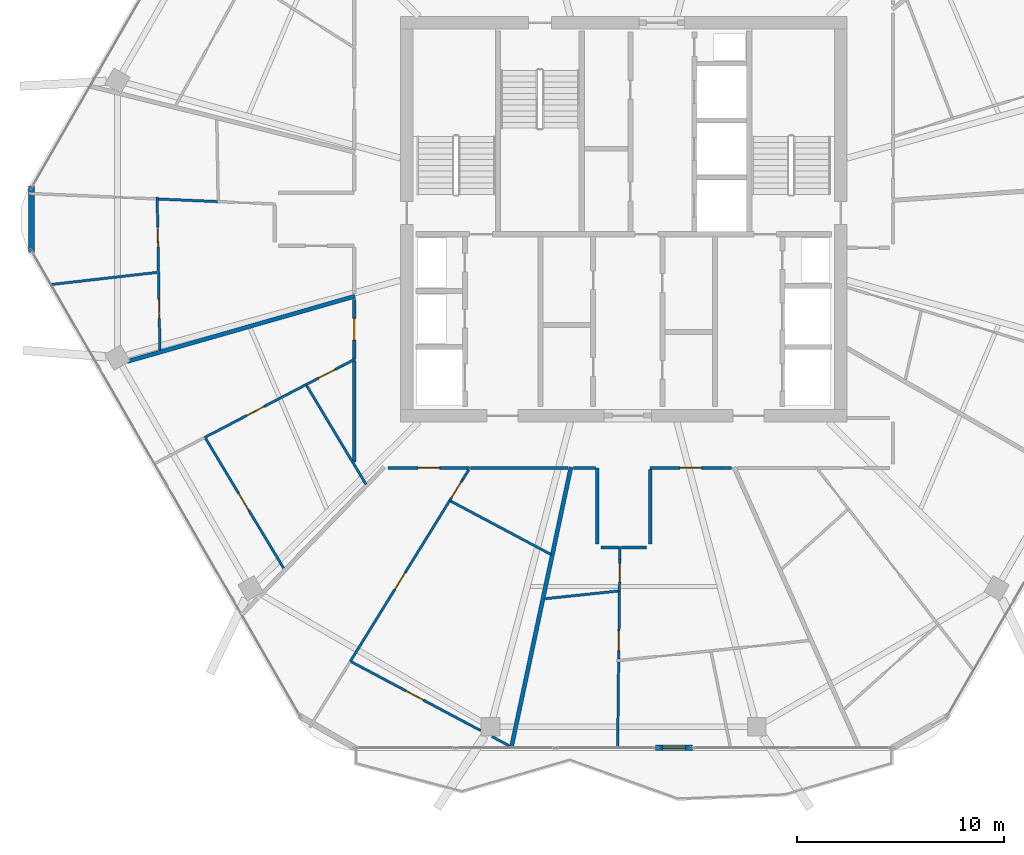
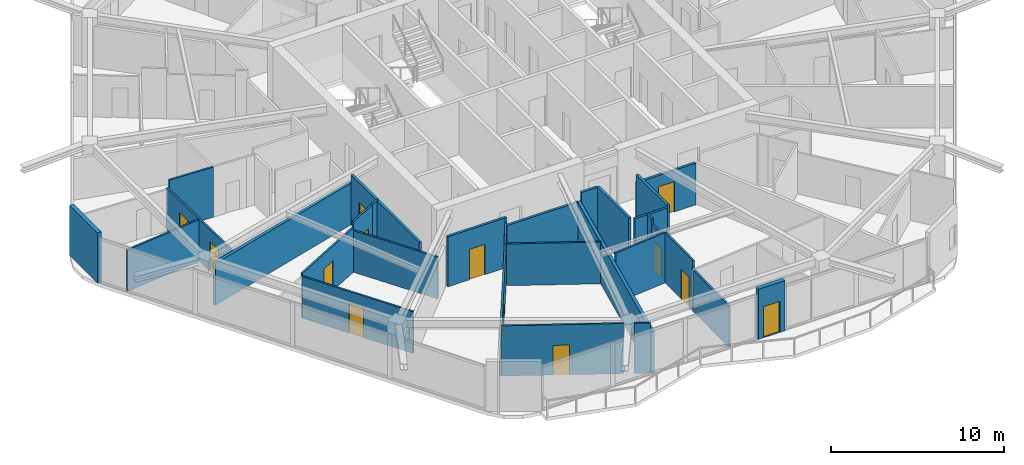
# One storey, part 19 of 26: 33 walls, 14 doors, 14 openings.
"""IFC4 building model written with IfcOpenShell, lengths in metres."""

from ifc_helpers import new_model, si_unit, direction, frame, frame_2d, origin, place, context, subcontext, project, spatial, rectangle, extrude, material, layer, layer_set, type_object, element, fill, save


model = new_model("IFC4")

# Units and contexts
model_context = context("Model", 3, precision=1e-05, world=origin(), true_north=direction((0.0, 1.0)))
body_context = subcontext(model_context, "Body", "Model", "MODEL_VIEW")
ifc_project = project(units=[si_unit("LENGTHUNIT", "METRE"), si_unit("AREAUNIT", "SQUARE_METRE"), si_unit("VOLUMEUNIT", "CUBIC_METRE"), si_unit("PLANEANGLEUNIT", "RADIAN"), si_unit("MASSUNIT", "GRAM", prefix="KILO")], contexts=[model_context])

# Site, building, storey
site_placement = place(None, origin())
site = spatial("IfcSite", under=ifc_project, at=site_placement, CompositionType="ELEMENT")
building_placement = place(site_placement, origin())
building = spatial("IfcBuilding", under=site, at=building_placement, Name="Zuhravey Tower", CompositionType="ELEMENT")
storey_placement = place(building_placement, frame((0.0, 0.0, 242.60009765625)))
storey = spatial("IfcBuildingStorey", under=building, at=storey_placement, Name="L61", CompositionType="ELEMENT", Elevation=242.60009765625)

# Wall, opening, door
ifc_material_1 = material(Name="Gypsum fire-rated stud partition")
ifc_layer_1 = layer(ifc_material_1, 0.159912109375)
ifc_layer_set_1 = layer_set([ifc_layer_1], Name="Gypsum fire-rated stud partition")
wall_type_1 = type_object("IfcWallType", Name="Corridor Fire Partition 160", PredefinedType="PARTITIONING", material=ifc_layer_set_1)
wall_1_placement = place(storey_placement, frame((22.969970703125, 28.119384765625, 0.0), z_axis=(0.0, 0.0, 1.0), x_axis=(0.0, -1.0, 0.0)))
wall_1 = element("IfcWall", 1, at=wall_1_placement, inside=storey, type_object=wall_type_1, Name="L61 IW16 Partition 038", PredefinedType="PARTITIONING", context=body_context, shape_type="SweptSolid", body=[
    extrude(rectangle(XDim=2.885498046875, YDim=0.159912109375, at=frame_2d((1.44287109375, 0.0))), origin(), (0.0, 0.0, 1.0), 3.5498046875),
])
opening_1_placement = place(wall_1_placement, frame((0.917724609375, 0.0, 0.0)))
opening_1 = element("IfcOpeningElement", 2, at=opening_1_placement, cuts=wall_1, Name="Opening APD1", PredefinedType="OPENING", context=body_context, shape_type="SweptSolid", body=[
    extrude(rectangle(XDim=1.050048828125, YDim=2.14990234375, at=frame_2d((0.52490234375, 1.074951171875))), frame((0.0, 0.092041015625, 0.0), z_axis=(0.0, -1.0, 0.0), x_axis=(1.0, 0.0, 0.0)), (0.0, 0.0, 1.0), 0.183837890625),
])
ifc_material_2 = material(Name="Solid-core oak fire-rated leaf")
door_type_1 = type_object("IfcDoorType", Name="Apartment Entrance Fire Door 1050x2150", OperationType="NOTDEFINED", PredefinedType="DOOR", material=ifc_material_2)
door_1_placement = place(opening_1_placement, frame((1.050048828125, 0.0, 0.0), z_axis=(0.0, 0.0, 1.0), x_axis=(-1.0, 0.0, 0.0)))
door_1 = element("IfcDoor", 3, at=door_1_placement, inside=storey, type_object=door_type_1, Name="L61 Door 038.1", OperationType="SINGLE_SWING_RIGHT", OverallHeight=2.14990234375, OverallWidth=1.050048828125, PredefinedType="DOOR", context=body_context, shape_type="SweptSolid", body=[
    extrude(rectangle(XDim=1.050048828125, YDim=2.14990234375, at=frame_2d((0.52490234375, 1.074951171875))), frame((0.0, 0.02490234375, 0.0), z_axis=(0.0, -1.0, 0.0), x_axis=(1.0, 0.0, 0.0)), (0.0, 0.0, 1.0), 0.050048828125),
])
fill(opening_1, door_1)

wall_2_placement = place(storey_placement, frame((24.611572265625, 19.969970703125, 0.0), z_axis=(0.0, 0.0, 1.0), x_axis=(1.0, 0.0, 0.0)))
wall_2 = element("IfcWall", 4, at=wall_2_placement, inside=storey, type_object=wall_type_1, Name="L61 IW16 Partition 042", PredefinedType="PARTITIONING", context=body_context, shape_type="SweptSolid", body=[
    extrude(rectangle(XDim=3.92919921875, YDim=0.159912109375, at=frame_2d((1.964599609375, 0.0))), origin(), (0.0, 0.0, 1.0), 3.5498046875),
])
opening_2_placement = place(wall_2_placement, frame((1.439697265625, 0.0, 0.0)))
opening_2 = element("IfcOpeningElement", 5, at=opening_2_placement, cuts=wall_2, Name="Opening APD1", PredefinedType="OPENING", context=body_context, shape_type="SweptSolid", body=[
    extrude(rectangle(XDim=1.050048828125, YDim=2.14990234375, at=frame_2d((0.52490234375, 1.074951171875))), frame((0.0, 0.092041015625, 0.0), z_axis=(0.0, -1.0, 0.0), x_axis=(1.0, 0.0, 0.0)), (0.0, 0.0, 1.0), 0.183837890625),
])
door_2_placement = place(opening_2_placement, frame((1.050048828125, 0.0, 0.0), z_axis=(0.0, 0.0, 1.0), x_axis=(-1.0, 0.0, 0.0)))
door_2 = element("IfcDoor", 6, at=door_2_placement, inside=storey, type_object=door_type_1, Name="L61 Door 042.1", OperationType="SINGLE_SWING_RIGHT", OverallHeight=2.14990234375, OverallWidth=1.050048828125, PredefinedType="DOOR", context=body_context, shape_type="SweptSolid", body=[
    extrude(rectangle(XDim=1.050048828125, YDim=2.14990234375, at=frame_2d((0.52490234375, 1.074951171875))), frame((0.0, 0.02490234375, 0.0), z_axis=(0.0, -1.0, 0.0), x_axis=(1.0, 0.0, 0.0)), (0.0, 0.0, 1.0), 0.050048828125),
])
fill(opening_2, door_2)

wall_3_placement = place(storey_placement, frame((37.280029296875, 19.969970703125, 0.0), z_axis=(0.0, 0.0, 1.0), x_axis=(1.0, 0.0, 0.0)))
wall_3 = element("IfcWall", 7, at=wall_3_placement, inside=storey, type_object=wall_type_1, Name="L61 IW16 Partition 047", PredefinedType="PARTITIONING", context=body_context, shape_type="SweptSolid", body=[
    extrude(rectangle(XDim=3.928955078125, YDim=0.159912109375, at=frame_2d((1.96435546875, 0.0))), origin(), (0.0, 0.0, 1.0), 2.949951171875),
])
opening_3_placement = place(wall_3_placement, frame((1.439453125, 0.0, 0.0)))
opening_3 = element("IfcOpeningElement", 8, at=opening_3_placement, cuts=wall_3, Name="Opening APD1", PredefinedType="OPENING", context=body_context, shape_type="SweptSolid", body=[
    extrude(rectangle(XDim=1.050048828125, YDim=2.14990234375, at=frame_2d((0.52490234375, 1.074951171875))), frame((0.0, 0.092041015625, 0.0), z_axis=(0.0, -1.0, 0.0), x_axis=(1.0, 0.0, 0.0)), (0.0, 0.0, 1.0), 0.183837890625),
])
door_3_placement = place(opening_3_placement, frame((1.050048828125, 0.0, 0.0), z_axis=(0.0, 0.0, 1.0), x_axis=(-1.0, 0.0, 0.0)))
door_3 = element("IfcDoor", 9, at=door_3_placement, inside=storey, type_object=door_type_1, Name="L61 Door 047.1", OperationType="SINGLE_SWING_LEFT", OverallHeight=2.14990234375, OverallWidth=1.050048828125, PredefinedType="DOOR", context=body_context, shape_type="SweptSolid", body=[
    extrude(rectangle(XDim=1.050048828125, YDim=2.14990234375, at=frame_2d((0.52490234375, 1.074951171875))), frame((0.0, 0.02490234375, 0.0), z_axis=(0.0, -1.0, 0.0), x_axis=(1.0, 0.0, 0.0)), (0.0, 0.0, 1.0), 0.050048828125),
])
fill(opening_3, door_3)

# Walls
wall_4_placement = place(storey_placement, frame((22.969970703125, 25.134521484375, 0.0), z_axis=(0.0, 0.0, 1.0), x_axis=(0.0, -1.0, 0.0)))
element("IfcWall", 10, at=wall_4_placement, inside=storey, type_object=wall_type_1, Name="L61 IW16 Partition 128", PredefinedType="PARTITIONING", context=body_context, shape_type="SweptSolid", body=[
    extrude(rectangle(XDim=4.8828125, YDim=0.159912109375, at=frame_2d((2.44140625, 0.0))), origin(), (0.0, 0.0, 1.0), 3.5498046875),
])
wall_5_placement = place(storey_placement, frame((28.587890625, 19.969970703125, 0.0), z_axis=(0.0, 0.0, 1.0), x_axis=(1.0, 0.0, 0.0)))
element("IfcWall", 11, at=wall_5_placement, inside=storey, type_object=wall_type_1, Name="L61 IW16 Partition 129", PredefinedType="PARTITIONING", context=body_context, shape_type="SweptSolid", body=[
    extrude(rectangle(XDim=4.724609375, YDim=0.159912109375, at=frame_2d((2.3623046875, 0.0))), origin(), (0.0, 0.0, 1.0), 2.949951171875),
])
wall_6_placement = place(storey_placement, frame((37.280029296875, 16.300048828125, 0.0), z_axis=(0.0, 0.0, 1.0), x_axis=(0.0, 1.0, 0.0)))
element("IfcWall", 12, at=wall_6_placement, inside=storey, type_object=wall_type_1, Name="L61 IW16 Partition 130", PredefinedType="PARTITIONING", context=body_context, shape_type="SweptSolid", body=[
    extrude(rectangle(XDim=3.58203125, YDim=0.159912109375, at=frame_2d((1.791015625, 0.0))), origin(), (0.0, 0.0, 1.0), 3.5498046875),
])
wall_7_placement = place(storey_placement, frame((35.8876953125, 16.1201171875, 0.0), z_axis=(0.0, 0.0, 1.0), x_axis=(1.0, 0.0, 0.0)))
element("IfcWall", 13, at=wall_7_placement, inside=storey, type_object=wall_type_1, Name="L61 IW16 Partition 131", PredefinedType="PARTITIONING", context=body_context, shape_type="SweptSolid", body=[
    extrude(rectangle(XDim=1.21240234375, YDim=0.159912109375, at=frame_2d((0.606201171875, 0.0))), origin(), (0.0, 0.0, 1.0), 3.5498046875),
])
wall_8_placement = place(storey_placement, frame((34.719970703125, 19.969970703125, 0.0), z_axis=(0.0, 0.0, 1.0), x_axis=(0.0, -1.0, 0.0)))
element("IfcWall", 14, at=wall_8_placement, inside=storey, type_object=wall_type_1, Name="L61 IW16 Partition 132", PredefinedType="PARTITIONING", context=body_context, shape_type="SweptSolid", body=[
    extrude(rectangle(XDim=3.669921875, YDim=0.159912109375, at=frame_2d((1.8349609375, 0.0))), origin(), (0.0, 0.0, 1.0), 3.5498046875),
])
wall_9_placement = place(storey_placement, frame((33.572998046875, 19.969970703125, 0.0), z_axis=(0.0, 0.0, 1.0), x_axis=(1.0, 0.0, 0.0)))
element("IfcWall", 15, at=wall_9_placement, inside=storey, type_object=wall_type_1, Name="L61 IW16 Partition 133", PredefinedType="PARTITIONING", context=body_context, shape_type="SweptSolid", body=[
    extrude(rectangle(XDim=1.05908203125, YDim=0.159912109375, at=frame_2d((0.529541015625, 0.0))), origin(), (0.0, 0.0, 1.0), 3.5498046875),
])
wall_10_placement = place(storey_placement, frame((34.89990234375, 16.1201171875, 0.0), z_axis=(0.0, 0.0, 1.0), x_axis=(1.0, 0.0, 0.0)))
element("IfcWall", 16, at=wall_10_placement, inside=storey, type_object=wall_type_1, Name="L61 IW16 Partition 134", PredefinedType="PARTITIONING", context=body_context, shape_type="SweptSolid", body=[
    extrude(rectangle(XDim=0.851806640625, YDim=0.159912109375, at=frame_2d((0.42578125, 0.0))), origin(), (0.0, 0.0, 1.0), 3.5498046875),
])

# Wall, opening, door
ifc_material_3 = material(Name="Precast concrete C40/50", Category="concrete")
ifc_layer_2 = layer(ifc_material_3, 0.280029296875)
ifc_layer_set_2 = layer_set([ifc_layer_2], Name="Precast concrete C40/50")
wall_type_2 = type_object("IfcWallType", Name="Crown Architectural Wall 280", PredefinedType="SOLIDWALL", material=ifc_layer_set_2)
wall_11_placement = place(storey_placement, frame((39.330810546875, 6.436279296875, 0.0), z_axis=(0.0, 0.0, 1.0), x_axis=(-1.0, 0.0, 0.0)))
wall_11 = element("IfcWall", 17, at=wall_11_placement, inside=storey, type_object=wall_type_2, Name="L61 Face 5 Facade Pier EW28-1", PredefinedType="SOLIDWALL", context=body_context, shape_type="SweptSolid", body=[
    extrude(rectangle(XDim=1.7900390625, YDim=0.280029296875, at=frame_2d((0.89501953125, 0.0))), origin(), (0.0, 0.0, 1.0), 3.5498046875),
])
opening_4_placement = place(wall_11_placement, frame((0.344970703125, 0.0, 0.0)))
opening_4 = element("IfcOpeningElement", 18, at=opening_4_placement, cuts=wall_11, Name="Opening BLD1", PredefinedType="OPENING", context=body_context, shape_type="SweptSolid", body=[
    extrude(rectangle(XDim=1.10009765625, YDim=2.199951171875, at=frame_2d((0.550048828125, 1.10009765625))), frame((0.0, 0.152099609375, 0.0), z_axis=(0.0, -1.0, 0.0), x_axis=(1.0, 0.0, 0.0)), (0.0, 0.0, 1.0), 0.303955078125),
])
ifc_material_4 = material(Name="Thermally broken aluminium and low-E glass", Category="aluminium")
door_type_2 = type_object("IfcDoorType", Name="Balcony & Sky-Tray Glazed Door 1100x2200", OperationType="NOTDEFINED", PredefinedType="DOOR", material=ifc_material_4)
door_4_placement = place(opening_4_placement, frame((1.10009765625, 0.0, 0.0), z_axis=(0.0, 0.0, 1.0), x_axis=(-1.0, 0.0, 0.0)))
door_4 = element("IfcDoor", 19, at=door_4_placement, inside=storey, type_object=door_type_2, Name="L61 Face 5 Wave Balcony Door", OperationType="SINGLE_SWING_LEFT", OverallHeight=2.199951171875, OverallWidth=1.10009765625, PredefinedType="DOOR", context=body_context, shape_type="SweptSolid", body=[
    extrude(rectangle(XDim=1.10009765625, YDim=2.199951171875, at=frame_2d((0.550048828125, 1.10009765625))), frame((0.0, 0.02490234375, 0.0), z_axis=(0.0, -1.0, 0.0), x_axis=(1.0, 0.0, 0.0)), (0.0, 0.0, 1.0), 0.050048828125),
])
fill(opening_4, door_4)

# Walls
wall_12_placement = place(storey_placement, frame((7.35498046875, 30.392578125, 0.0), z_axis=(0.0, 0.0, 1.0), x_axis=(0.0, 1.0, 0.0)))
element("IfcWall", 20, at=wall_12_placement, inside=storey, type_object=wall_type_2, Name="L61 Rounded Corner Closure Wall EW28-06", PredefinedType="SOLIDWALL", context=body_context, shape_type="SweptSolid", body=[
    extrude(rectangle(XDim=3.21484375, YDim=0.280029296875, at=frame_2d((1.607421875, 0.0))), origin(), (0.0, 0.0, 1.0), 3.5498046875),
])
ifc_material_5 = material(Name="Gypsum double-stud party assembly")
ifc_layer_3 = layer(ifc_material_5, 0.199951171875)
ifc_layer_set_3 = layer_set([ifc_layer_3], Name="Gypsum double-stud party assembly")
wall_type_3 = type_object("IfcWallType", Name="Inter-Tenancy Party Wall 200", PredefinedType="PARTITIONING", material=ifc_layer_set_3)
wall_13_placement = place(storey_placement, frame((23.010009765625, 28.275146484375, 0.0), z_axis=(0.0, 0.0, 1.0), x_axis=(-0.961263244987, -0.275631953585, 0.0)))
element("IfcWall", 21, at=wall_13_placement, inside=storey, type_object=wall_type_3, Name="L61 IW20 Partition 086", PredefinedType="PARTITIONING", context=body_context, shape_type="SweptSolid", body=[
    extrude(rectangle(XDim=11.46875, YDim=0.199951171875, at=frame_2d((5.734375, 0.0))), origin(), (0.0, 0.0, 1.0), 2.949951171875),
])
wall_14_placement = place(storey_placement, frame((33.451416015625, 20.010009765625, 0.0), z_axis=(0.0, 0.0, 1.0), x_axis=(-0.207899576005, -0.978150175738, 0.0)))
element("IfcWall", 22, at=wall_14_placement, inside=storey, type_object=wall_type_3, Name="L61 IW20 Partition 096", PredefinedType="PARTITIONING", context=body_context, shape_type="SweptSolid", body=[
    extrude(rectangle(XDim=13.876953125, YDim=0.199951171875, at=frame_2d((6.9384765625, 0.0))), origin(), (0.0, 0.0, 1.0), 2.929931640625),
])

# Wall, openings, doors
ifc_material_6 = material(Name="Gypsum metal-stud partition")
ifc_layer_4 = layer(ifc_material_6, 0.1201171875)
ifc_layer_set_4 = layer_set([ifc_layer_4], Name="Gypsum metal-stud partition")
wall_type_4 = type_object("IfcWallType", Name="Unit Internal Partition 120", PredefinedType="PARTITIONING", material=ifc_layer_set_4)
wall_15_placement = place(storey_placement, frame((13.440185546875, 33.0771484375, 0.0), z_axis=(0.0, 0.0, 1.0), x_axis=(0.01747984643, -0.999847215813, 0.0)))
wall_15 = element("IfcWall", 23, at=wall_15_placement, inside=storey, type_object=wall_type_4, Name="L61 IW12 Partition 030", PredefinedType="PARTITIONING", context=body_context, shape_type="SweptSolid", body=[
    extrude(rectangle(XDim=7.402587890625, YDim=0.1201171875, at=frame_2d((3.701171875, 0.0))), origin(), (0.0, 0.0, 1.0), 2.949951171875),
])
opening_5_placement = place(wall_15_placement, frame((1.468017578125, 0.0, 0.0)))
opening_5 = element("IfcOpeningElement", 24, at=opening_5_placement, cuts=wall_15, Name="Opening IND1", PredefinedType="OPENING", context=body_context, shape_type="SweptSolid", body=[
    extrude(rectangle(XDim=0.949951171875, YDim=2.10009765625, at=frame_2d((0.47509765625, 1.050048828125))), frame((0.0, 0.072021484375, 0.0), z_axis=(0.0, -1.0, 0.0), x_axis=(1.0, 0.0, 0.0)), (0.0, 0.0, 1.0), 0.14404296875),
])
opening_6_placement = place(wall_15_placement, frame((4.9287109375, 0.0, 0.0)))
opening_6 = element("IfcOpeningElement", 25, at=opening_6_placement, cuts=wall_15, Name="Opening IND1", PredefinedType="OPENING", context=body_context, shape_type="SweptSolid", body=[
    extrude(rectangle(XDim=0.949951171875, YDim=2.10009765625, at=frame_2d((0.47509765625, 1.050048828125))), frame((0.0, 0.072021484375, 0.0), z_axis=(0.0, -1.0, 0.0), x_axis=(1.0, 0.0, 0.0)), (0.0, 0.0, 1.0), 0.14404296875),
])
ifc_material_7 = material(Name="Painted engineered timber leaf", Category="wood")
door_type_3 = type_object("IfcDoorType", Name="Internal Room & Bedroom Door 950x2100", OperationType="NOTDEFINED", PredefinedType="DOOR", material=ifc_material_7)
door_5_placement = place(opening_5_placement, frame((0.949951171875, 0.0, 0.0), z_axis=(0.0, 0.0, 1.0), x_axis=(-1.0, 0.0, 0.0)))
door_5 = element("IfcDoor", 26, at=door_5_placement, inside=storey, type_object=door_type_3, Name="Apartment L61-03 Family Study Door", OperationType="SINGLE_SWING_RIGHT", OverallHeight=2.10009765625, OverallWidth=0.949951171875, PredefinedType="DOOR", context=body_context, shape_type="SweptSolid", body=[
    extrude(rectangle(XDim=0.949951171875, YDim=2.10009765625, at=frame_2d((0.47509765625, 1.050048828125))), frame((0.0, 0.02490234375, 0.0), z_axis=(0.0, -1.0, 0.0), x_axis=(1.0, 0.0, 0.0)), (0.0, 0.0, 1.0), 0.050048828125),
])
fill(opening_5, door_5)
door_6_placement = place(opening_6_placement, frame((0.949951171875, 0.0, 0.0), z_axis=(0.0, 0.0, 1.0), x_axis=(-1.0, 0.0, 0.0)))
door_6 = element("IfcDoor", 27, at=door_6_placement, inside=storey, type_object=door_type_3, Name="Apartment L61-03 Dining Room Door", OperationType="SINGLE_SWING_LEFT", OverallHeight=2.10009765625, OverallWidth=0.949951171875, PredefinedType="DOOR", context=body_context, shape_type="SweptSolid", body=[
    extrude(rectangle(XDim=0.949951171875, YDim=2.10009765625, at=frame_2d((0.47509765625, 1.050048828125))), frame((0.0, 0.02490234375, 0.0), z_axis=(0.0, -1.0, 0.0), x_axis=(1.0, 0.0, 0.0)), (0.0, 0.0, 1.0), 0.050048828125),
])
fill(opening_6, door_6)

# Wall
wall_16_placement = place(storey_placement, frame((16.36572265625, 32.850341796875, 0.0), z_axis=(0.0, 0.0, 1.0), x_axis=(-0.999061951001, 0.043303788079, 0.0)))
element("IfcWall", 28, at=wall_16_placement, inside=storey, type_object=wall_type_4, Name="L61 IW12 Partition 032", PredefinedType="PARTITIONING", context=body_context, shape_type="SweptSolid", body=[
    extrude(rectangle(XDim=2.8583984375, YDim=0.1201171875, at=frame_2d((1.42919921875, 0.0))), origin(), (0.0, 0.0, 1.0), 3.5498046875),
])

# Wall, opening, door
wall_17_placement = place(storey_placement, frame((22.39990234375, 24.914306640625, 0.0), z_axis=(0.0, 0.0, 1.0), x_axis=(-0.886792724396, -0.462167354926, 0.0)))
wall_17 = element("IfcWall", 29, at=wall_17_placement, inside=storey, type_object=wall_type_4, Name="L61 IW12 Partition 035", PredefinedType="PARTITIONING", context=body_context, shape_type="SweptSolid", body=[
    extrude(rectangle(XDim=2.009521484375, YDim=0.1201171875, at=frame_2d((1.0048828125, 0.0))), origin(), (0.0, 0.0, 1.0), 3.5498046875),
])
opening_7_placement = place(wall_17_placement, frame((0.39404296875, 0.0, 0.0)))
opening_7 = element("IfcOpeningElement", 30, at=opening_7_placement, cuts=wall_17, Name="Opening WCD1", PredefinedType="OPENING", context=body_context, shape_type="SweptSolid", body=[
    extrude(rectangle(XDim=0.89990234375, YDim=2.10009765625, at=frame_2d((0.449951171875, 1.050048828125))), frame((0.0, 0.072021484375, 0.0), z_axis=(0.0, -1.0, 0.0), x_axis=(1.0, 0.0, 0.0)), (0.0, 0.0, 1.0), 0.14404296875),
])
ifc_material_8 = material(Name="Moisture-resistant timber leaf", Category="wood")
door_type_4 = type_object("IfcDoorType", Name="Bathroom & WC Internal Door 900x2100", OperationType="NOTDEFINED", PredefinedType="DOOR", material=ifc_material_8)
door_7_placement = place(opening_7_placement, origin())
door_7 = element("IfcDoor", 31, at=door_7_placement, inside=storey, type_object=door_type_4, Name="Apartment L61-04 Bathroom Door", OperationType="SINGLE_SWING_LEFT", OverallHeight=2.10009765625, OverallWidth=0.89990234375, PredefinedType="DOOR", context=body_context, shape_type="SweptSolid", body=[
    extrude(rectangle(XDim=0.89990234375, YDim=2.10009765625, at=frame_2d((0.449951171875, 1.050048828125))), frame((0.0, 0.02490234375, 0.0), z_axis=(0.0, -1.0, 0.0), x_axis=(1.0, 0.0, 0.0)), (0.0, 0.0, 1.0), 0.050048828125),
])
fill(opening_7, door_7)

wall_18_placement = place(storey_placement, frame((20.617919921875, 23.98583984375, 0.0), z_axis=(0.0, 0.0, 1.0), x_axis=(-0.886846806797, -0.462063568434, 0.0)))
wall_18 = element("IfcWall", 32, at=wall_18_placement, inside=storey, type_object=wall_type_4, Name="L61 IW12 Partition 036", PredefinedType="PARTITIONING", context=body_context, shape_type="SweptSolid", body=[
    extrude(rectangle(XDim=5.51416015625, YDim=0.1201171875, at=frame_2d((2.757080078125, 0.0))), origin(), (0.0, 0.0, 1.0), 3.14990234375),
])
opening_8_placement = place(wall_18_placement, frame((2.2568359375, 0.0, 0.0)))
opening_8 = element("IfcOpeningElement", 33, at=opening_8_placement, cuts=wall_18, Name="Opening IND1", PredefinedType="OPENING", context=body_context, shape_type="SweptSolid", body=[
    extrude(rectangle(XDim=0.949951171875, YDim=2.10009765625, at=frame_2d((0.47509765625, 1.050048828125))), frame((0.0, 0.072021484375, 0.0), z_axis=(0.0, -1.0, 0.0), x_axis=(1.0, 0.0, 0.0)), (0.0, 0.0, 1.0), 0.14404296875),
])
door_8_placement = place(opening_8_placement, origin())
door_8 = element("IfcDoor", 34, at=door_8_placement, inside=storey, type_object=door_type_3, Name="Apartment L61-04 Home Office Door", OperationType="SINGLE_SWING_RIGHT", OverallHeight=2.10009765625, OverallWidth=0.949951171875, PredefinedType="DOOR", context=body_context, shape_type="SweptSolid", body=[
    extrude(rectangle(XDim=0.949951171875, YDim=2.10009765625, at=frame_2d((0.47509765625, 1.050048828125))), frame((0.0, 0.02490234375, 0.0), z_axis=(0.0, -1.0, 0.0), x_axis=(1.0, 0.0, 0.0)), (0.0, 0.0, 1.0), 0.050048828125),
])
fill(opening_8, door_8)

wall_19_placement = place(storey_placement, frame((15.78515625, 21.39111328125, 0.0), z_axis=(0.0, 0.0, 1.0), x_axis=(0.515050233646, -0.857159994879, 0.0)))
wall_19 = element("IfcWall", 35, at=wall_19_placement, inside=storey, type_object=wall_type_4, Name="L61 IW12 Partition 037", PredefinedType="PARTITIONING", context=body_context, shape_type="SweptSolid", body=[
    extrude(rectangle(XDim=7.3154296875, YDim=0.1201171875, at=frame_2d((3.65771484375, 0.0))), origin(), (0.0, 0.0, 1.0), 2.949951171875),
])
opening_9_placement = place(wall_19_placement, frame((3.0986328125, 0.0, 0.0)))
opening_9 = element("IfcOpeningElement", 36, at=opening_9_placement, cuts=wall_19, Name="Opening IND1", PredefinedType="OPENING", context=body_context, shape_type="SweptSolid", body=[
    extrude(rectangle(XDim=0.949951171875, YDim=2.10009765625, at=frame_2d((0.47509765625, 1.050048828125))), frame((0.0, 0.072021484375, 0.0), z_axis=(0.0, -1.0, 0.0), x_axis=(1.0, 0.0, 0.0)), (0.0, 0.0, 1.0), 0.14404296875),
])
door_9_placement = place(opening_9_placement, frame((0.949951171875, 0.0, 0.0), z_axis=(0.0, 0.0, 1.0), x_axis=(-1.0, 0.0, 0.0)))
door_9 = element("IfcDoor", 37, at=door_9_placement, inside=storey, type_object=door_type_3, Name="Apartment L61-04 Kitchen Door", OperationType="SINGLE_SWING_LEFT", OverallHeight=2.10009765625, OverallWidth=0.949951171875, PredefinedType="DOOR", context=body_context, shape_type="SweptSolid", body=[
    extrude(rectangle(XDim=0.949951171875, YDim=2.10009765625, at=frame_2d((0.47509765625, 1.050048828125))), frame((0.0, 0.02490234375, 0.0), z_axis=(0.0, -1.0, 0.0), x_axis=(1.0, 0.0, 0.0)), (0.0, 0.0, 1.0), 0.050048828125),
])
fill(opening_9, door_9)

wall_20_placement = place(storey_placement, frame((28.2119140625, 19.39990234375, 0.0), z_axis=(0.0, 0.0, 1.0), x_axis=(-0.525724166979, -0.850655100646, 0.0)))
wall_20 = element("IfcWall", 38, at=wall_20_placement, inside=storey, type_object=wall_type_4, Name="L61 IW12 Partition 039", PredefinedType="PARTITIONING", context=body_context, shape_type="SweptSolid", body=[
    extrude(rectangle(XDim=1.21337890625, YDim=0.1201171875, at=frame_2d((0.606689453125, 0.0))), origin(), (0.0, 0.0, 1.0), 3.5498046875),
])
opening_10_placement = place(wall_20_placement, frame((0.139892578125, 0.0, 0.0)))
opening_10 = element("IfcOpeningElement", 39, at=opening_10_placement, cuts=wall_20, Name="Opening WCD1", PredefinedType="OPENING", context=body_context, shape_type="SweptSolid", body=[
    extrude(rectangle(XDim=0.89990234375, YDim=2.10009765625, at=frame_2d((0.449951171875, 1.050048828125))), frame((0.0, 0.072021484375, 0.0), z_axis=(0.0, -1.0, 0.0), x_axis=(1.0, 0.0, 0.0)), (0.0, 0.0, 1.0), 0.14404296875),
])
door_10_placement = place(opening_10_placement, origin())
door_10 = element("IfcDoor", 40, at=door_10_placement, inside=storey, type_object=door_type_4, Name="Apartment L61-05 Bathroom Door", OperationType="SINGLE_SWING_LEFT", OverallHeight=2.10009765625, OverallWidth=0.89990234375, PredefinedType="DOOR", context=body_context, shape_type="SweptSolid", body=[
    extrude(rectangle(XDim=0.89990234375, YDim=2.10009765625, at=frame_2d((0.449951171875, 1.050048828125))), frame((0.0, 0.02490234375, 0.0), z_axis=(0.0, -1.0, 0.0), x_axis=(1.0, 0.0, 0.0)), (0.0, 0.0, 1.0), 0.050048828125),
])
fill(opening_10, door_10)

wall_21_placement = place(storey_placement, frame((27.573974609375, 18.36767578125, 0.0), z_axis=(0.0, 0.0, 1.0), x_axis=(-0.525774998316, -0.850623683626, 0.0)))
wall_21 = element("IfcWall", 41, at=wall_21_placement, inside=storey, type_object=wall_type_4, Name="L61 IW12 Partition 040", PredefinedType="PARTITIONING", context=body_context, shape_type="SweptSolid", body=[
    extrude(rectangle(XDim=9.137451171875, YDim=0.1201171875, at=frame_2d((4.56884765625, 0.0))), origin(), (0.0, 0.0, 1.0), 2.929931640625),
])
opening_11_placement = place(wall_21_placement, frame((4.068603515625, 0.0, 0.0)))
opening_11 = element("IfcOpeningElement", 42, at=opening_11_placement, cuts=wall_21, Name="Opening IND1", PredefinedType="OPENING", context=body_context, shape_type="SweptSolid", body=[
    extrude(rectangle(XDim=0.949951171875, YDim=2.10009765625, at=frame_2d((0.47509765625, 1.050048828125))), frame((0.0, 0.072021484375, 0.0), z_axis=(0.0, -1.0, 0.0), x_axis=(1.0, 0.0, 0.0)), (0.0, 0.0, 1.0), 0.14404296875),
])
door_11_placement = place(opening_11_placement, origin())
door_11 = element("IfcDoor", 43, at=door_11_placement, inside=storey, type_object=door_type_3, Name="Apartment L61-05 Home Office Door", OperationType="SINGLE_SWING_RIGHT", OverallHeight=2.10009765625, OverallWidth=0.949951171875, PredefinedType="DOOR", context=body_context, shape_type="SweptSolid", body=[
    extrude(rectangle(XDim=0.949951171875, YDim=2.10009765625, at=frame_2d((0.47509765625, 1.050048828125))), frame((0.0, 0.02490234375, 0.0), z_axis=(0.0, -1.0, 0.0), x_axis=(1.0, 0.0, 0.0)), (0.0, 0.0, 1.0), 0.050048828125),
])
fill(opening_11, door_11)

wall_22_placement = place(storey_placement, frame((22.843017578125, 10.58447265625, 0.0), z_axis=(0.0, 0.0, 1.0), x_axis=(0.882936922094, -0.469491631026, 0.0)))
wall_22 = element("IfcWall", 44, at=wall_22_placement, inside=storey, type_object=wall_type_4, Name="L61 IW12 Partition 041", PredefinedType="PARTITIONING", context=body_context, shape_type="SweptSolid", body=[
    extrude(rectangle(XDim=7.07421875, YDim=0.1201171875, at=frame_2d((3.537109375, 0.0))), origin(), (0.0, 0.0, 1.0), 3.5498046875),
])
opening_12_placement = place(wall_22_placement, frame((2.977783203125, 0.0, 0.0)))
opening_12 = element("IfcOpeningElement", 45, at=opening_12_placement, cuts=wall_22, Name="Opening IND1", PredefinedType="OPENING", context=body_context, shape_type="SweptSolid", body=[
    extrude(rectangle(XDim=0.949951171875, YDim=2.10009765625, at=frame_2d((0.47509765625, 1.050048828125))), frame((0.0, 0.072021484375, 0.0), z_axis=(0.0, -1.0, 0.0), x_axis=(1.0, 0.0, 0.0)), (0.0, 0.0, 1.0), 0.14404296875),
])
door_12_placement = place(opening_12_placement, frame((0.949951171875, 0.0, 0.0), z_axis=(0.0, 0.0, 1.0), x_axis=(-1.0, 0.0, 0.0)))
door_12 = element("IfcDoor", 46, at=door_12_placement, inside=storey, type_object=door_type_3, Name="Apartment L61-05 Kitchen Door", OperationType="SINGLE_SWING_LEFT", OverallHeight=2.10009765625, OverallWidth=0.949951171875, PredefinedType="DOOR", context=body_context, shape_type="SweptSolid", body=[
    extrude(rectangle(XDim=0.949951171875, YDim=2.10009765625, at=frame_2d((0.47509765625, 1.050048828125))), frame((0.0, 0.02490234375, 0.0), z_axis=(0.0, -1.0, 0.0), x_axis=(1.0, 0.0, 0.0)), (0.0, 0.0, 1.0), 0.050048828125),
])
fill(opening_12, door_12)

wall_23_placement = place(storey_placement, frame((35.813232421875, 15.550048828125, 0.0), z_axis=(0.0, 0.0, 1.0), x_axis=(-0.011312915226, -0.999936006927, 0.0)))
wall_23 = element("IfcWall", 47, at=wall_23_placement, inside=storey, type_object=wall_type_4, Name="L61 IW12 Partition 044", PredefinedType="PARTITIONING", context=body_context, shape_type="SweptSolid", body=[
    extrude(rectangle(XDim=1.5537109375, YDim=0.1201171875, at=frame_2d((0.77685546875, 0.0))), origin(), (0.0, 0.0, 1.0), 3.14990234375),
])
opening_13_placement = place(wall_23_placement, frame((0.20263671875, 0.0, 0.0)))
opening_13 = element("IfcOpeningElement", 48, at=opening_13_placement, cuts=wall_23, Name="Opening WCD1", PredefinedType="OPENING", context=body_context, shape_type="SweptSolid", body=[
    extrude(rectangle(XDim=0.89990234375, YDim=2.10009765625, at=frame_2d((0.449951171875, 1.050048828125))), frame((0.0, 0.072021484375, 0.0), z_axis=(0.0, -1.0, 0.0), x_axis=(1.0, 0.0, 0.0)), (0.0, 0.0, 1.0), 0.14404296875),
])
door_13_placement = place(opening_13_placement, frame((0.89990234375, 0.0, 0.0), z_axis=(0.0, 0.0, 1.0), x_axis=(-1.0, 0.0, 0.0)))
door_13 = element("IfcDoor", 49, at=door_13_placement, inside=storey, type_object=door_type_4, Name="Apartment L61-06 Bathroom Door", OperationType="SINGLE_SWING_LEFT", OverallHeight=2.10009765625, OverallWidth=0.89990234375, PredefinedType="DOOR", context=body_context, shape_type="SweptSolid", body=[
    extrude(rectangle(XDim=0.89990234375, YDim=2.10009765625, at=frame_2d((0.449951171875, 1.050048828125))), frame((0.0, 0.02490234375, 0.0), z_axis=(0.0, -1.0, 0.0), x_axis=(1.0, 0.0, 0.0)), (0.0, 0.0, 1.0), 0.050048828125),
])
fill(opening_13, door_13)

wall_24_placement = place(storey_placement, frame((35.795654296875, 13.996337890625, 0.0), z_axis=(0.0, 0.0, 1.0), x_axis=(-0.011329872819, -0.999935814931, 0.0)))
wall_24 = element("IfcWall", 50, at=wall_24_placement, inside=storey, type_object=wall_type_4, Name="L61 IW12 Partition 045", PredefinedType="PARTITIONING", context=body_context, shape_type="SweptSolid", body=[
    extrude(rectangle(XDim=3.275390625, YDim=0.1201171875, at=frame_2d((1.6376953125, 0.0))), origin(), (0.0, 0.0, 1.0), 3.5498046875),
])
opening_14_placement = place(wall_24_placement, frame((1.911865234375, 0.0, 0.0)))
opening_14 = element("IfcOpeningElement", 51, at=opening_14_placement, cuts=wall_24, Name="Opening IND1", PredefinedType="OPENING", context=body_context, shape_type="SweptSolid", body=[
    extrude(rectangle(XDim=0.949951171875, YDim=2.10009765625, at=frame_2d((0.47509765625, 1.050048828125))), frame((0.0, 0.072021484375, 0.0), z_axis=(0.0, -1.0, 0.0), x_axis=(1.0, 0.0, 0.0)), (0.0, 0.0, 1.0), 0.14404296875),
])
door_14_placement = place(opening_14_placement, frame((0.949951171875, 0.0, 0.0), z_axis=(0.0, 0.0, 1.0), x_axis=(-1.0, 0.0, 0.0)))
door_14 = element("IfcDoor", 52, at=door_14_placement, inside=storey, type_object=door_type_3, Name="Apartment L61-06 Bedroom 1 Door", OperationType="SINGLE_SWING_RIGHT", OverallHeight=2.10009765625, OverallWidth=0.949951171875, PredefinedType="DOOR", context=body_context, shape_type="SweptSolid", body=[
    extrude(rectangle(XDim=0.949951171875, YDim=2.10009765625, at=frame_2d((0.47509765625, 1.050048828125))), frame((0.0, 0.02490234375, 0.0), z_axis=(0.0, -1.0, 0.0), x_axis=(1.0, 0.0, 0.0)), (0.0, 0.0, 1.0), 0.050048828125),
])
fill(opening_14, door_14)

# Walls
wall_25_placement = place(storey_placement, frame((35.757080078125, 10.584228515625, 0.0), z_axis=(0.0, 0.0, 1.0), x_axis=(-0.011345536626, -0.999935637328, 0.0)))
element("IfcWall", 53, at=wall_25_placement, inside=storey, type_object=wall_type_4, Name="L61 IW12 Partition 046", PredefinedType="PARTITIONING", context=body_context, shape_type="SweptSolid", body=[
    extrude(rectangle(XDim=4.153076171875, YDim=0.1201171875, at=frame_2d((2.07666015625, 0.0))), origin(), (0.0, 0.0, 1.0), 2.929931640625),
])
wall_26_placement = place(storey_placement, frame((13.43603515625, 29.42529296875, 0.0), z_axis=(0.0, 0.0, 1.0), x_axis=(-0.99355159017, -0.11338094051, 0.0)))
element("IfcWall", 54, at=wall_26_placement, inside=storey, type_object=wall_type_4, Name="L61 IW12 Partition 083", PredefinedType="PARTITIONING", context=body_context, shape_type="SweptSolid", body=[
    extrude(rectangle(XDim=5.19580078125, YDim=0.1201171875, at=frame_2d((2.597900390625, 0.0))), origin(), (0.0, 0.0, 1.0), 2.929931640625),
])
wall_27_placement = place(storey_placement, frame((23.01220703125, 25.233154296875, 0.0), z_axis=(0.0, 0.0, 1.0), x_axis=(-0.886950303541, -0.461864870983, 0.0)))
element("IfcWall", 55, at=wall_27_placement, inside=storey, type_object=wall_type_4, Name="L61 IW12 Partition 087", PredefinedType="PARTITIONING", context=body_context, shape_type="SweptSolid", body=[
    extrude(rectangle(XDim=0.6904296875, YDim=0.1201171875, at=frame_2d((0.34521484375, 0.0))), origin(), (0.0, 0.0, 1.0), 3.5498046875),
])
wall_28_placement = place(storey_placement, frame((20.675048828125, 23.938720703125, 0.0), z_axis=(0.0, 0.0, 1.0), x_axis=(0.515057714927, -0.857155499483, 0.0)))
element("IfcWall", 56, at=wall_28_placement, inside=storey, type_object=wall_type_4, Name="L61 IW12 Partition 089", PredefinedType="PARTITIONING", context=body_context, shape_type="SweptSolid", body=[
    extrude(rectangle(XDim=5.55712890625, YDim=0.1201171875, at=frame_2d((2.778564453125, 0.0))), origin(), (0.0, 0.0, 1.0), 2.949951171875),
])
wall_29_placement = place(storey_placement, frame((28.510009765625, 19.882080078125, 0.0), z_axis=(0.0, 0.0, 1.0), x_axis=(-0.525850424149, -0.850577057898, 0.0)))
element("IfcWall", 57, at=wall_29_placement, inside=storey, type_object=wall_type_4, Name="L61 IW12 Partition 092", PredefinedType="PARTITIONING", context=body_context, shape_type="SweptSolid", body=[
    extrude(rectangle(XDim=0.56689453125, YDim=0.1201171875, at=frame_2d((0.283447265625, 0.0))), origin(), (0.0, 0.0, 1.0), 3.5498046875),
])
wall_30_placement = place(storey_placement, frame((27.647216796875, 18.356689453125, 0.0), z_axis=(0.0, 0.0, 1.0), x_axis=(0.882946751735, -0.469473144706, 0.0)))
element("IfcWall", 58, at=wall_30_placement, inside=storey, type_object=wall_type_4, Name="L61 IW12 Partition 094", PredefinedType="PARTITIONING", context=body_context, shape_type="SweptSolid", body=[
    extrude(rectangle(XDim=5.501953125, YDim=0.1201171875, at=frame_2d((2.7509765625, 0.0))), origin(), (0.0, 0.0, 1.0), 2.949951171875),
])
wall_31_placement = place(storey_placement, frame((29.628662109375, 6.976318359375, 0.0), z_axis=(0.0, 0.0, 1.0), x_axis=(0.883014643107, -0.46934543788, 0.0)))
element("IfcWall", 59, at=wall_31_placement, inside=storey, type_object=wall_type_4, Name="L61 IW12 Partition 095", PredefinedType="PARTITIONING", context=body_context, shape_type="SweptSolid", body=[
    extrude(rectangle(XDim=0.9384765625, YDim=0.1201171875, at=frame_2d((0.46923828125, 0.0))), origin(), (0.0, 0.0, 1.0), 3.5498046875),
])
wall_32_placement = place(storey_placement, frame((35.8203125, 16.1650390625, 0.0), z_axis=(0.0, 0.0, 1.0), x_axis=(-0.011511742117, -0.999933737701, 0.0)))
element("IfcWall", 60, at=wall_32_placement, inside=storey, type_object=wall_type_4, Name="L61 IW12 Partition 098", PredefinedType="PARTITIONING", context=body_context, shape_type="SweptSolid", body=[
    extrude(rectangle(XDim=0.614990234375, YDim=0.1201171875, at=frame_2d((0.3076171875, 0.0))), origin(), (0.0, 0.0, 1.0), 3.5498046875),
])
wall_33_placement = place(storey_placement, frame((32.208740234375, 13.64453125, 0.0), z_axis=(0.0, 0.0, 1.0), x_axis=(0.99452169774, 0.10453034356, 0.0)))
element("IfcWall", 61, at=wall_33_placement, inside=storey, type_object=wall_type_4, Name="L61 IW12 Partition 099", PredefinedType="PARTITIONING", context=body_context, shape_type="SweptSolid", body=[
    extrude(rectangle(XDim=3.538330078125, YDim=0.1201171875, at=frame_2d((1.76904296875, 0.0))), origin(), (0.0, 0.0, 1.0), 3.5498046875),
])

save(model, "model.ifc")
